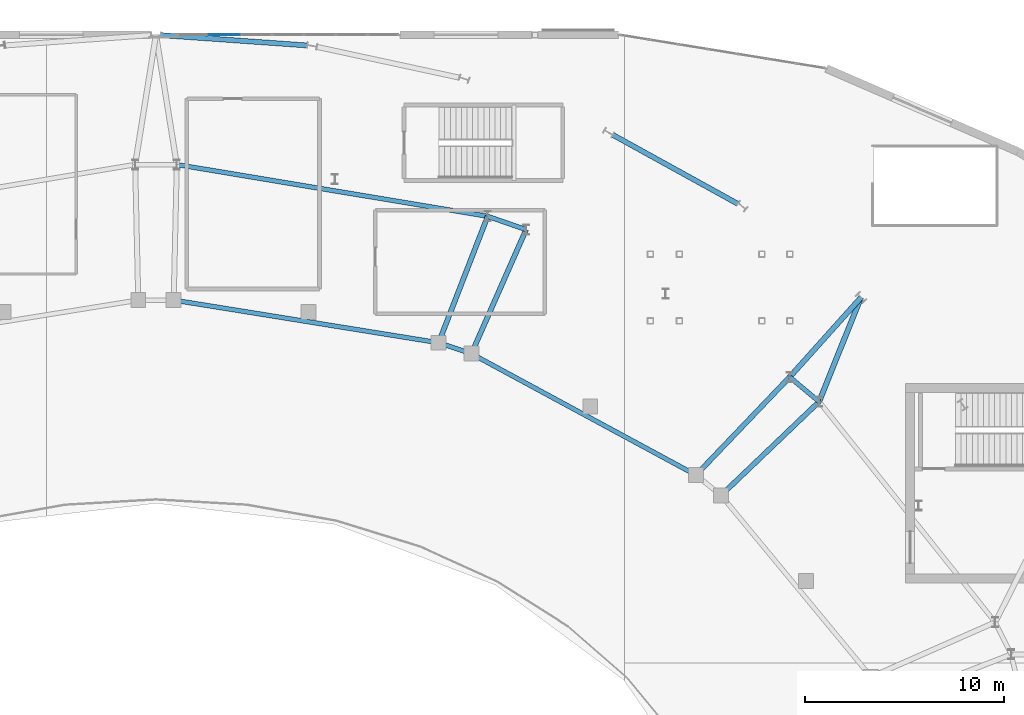
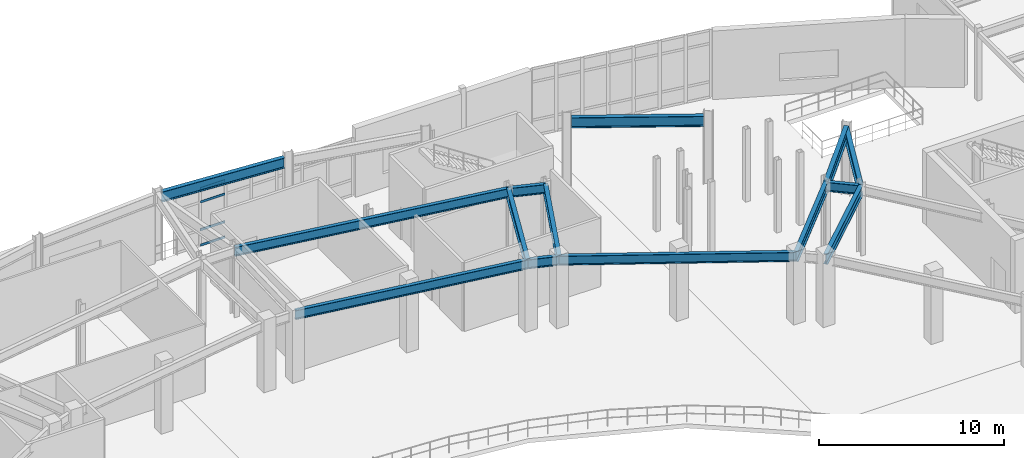
# One storey, part 45 of 86: 14 beams, 4 members, 1 element without a shape of its own.
"""IFC4 building model written with IfcOpenShell, lengths in metres."""

import ifcopenshell
import ifcopenshell.guid

model = None  # the IFC model being written
_history = None  # IfcOwnerHistory: only IFC2X3 demands one
_inside = {}  # id of a spatial element -> (the spatial element, [elements in it])
_under = {}  # id of a project, library or spatial element -> (it, [spatial elements below it])
_declared = {}  # id of a project -> (the project, [libraries it declares])
_typed = {}  # id of a type object -> (the type object, [elements of that type])
_made_of = {}  # id of a material, layer set ... -> (it, [elements and type objects made of it])


def new_model(schema):
    """Start an empty IFC model of exactly this schema.

    Asked for "IFC4X3", IfcOpenShell would pick the latest addendum, in which some entities
    have other attributes; the version numbers below select the first issue.
    IFC2X3 requires an IfcOwnerHistory on every rooted entity: one is made here for all.
    """
    global model, _history
    if schema == "IFC4X3":
        model = ifcopenshell.file(schema_version=(4, 3, 0, 0))
    else:
        model = ifcopenshell.file(schema=schema)
    _inside.clear()
    _under.clear()
    _declared.clear()
    _typed.clear()
    _made_of.clear()
    _history = None
    if model.schema == "IFC2X3":
        org = make("IfcOrganization", Name="unknown")
        user = make(
            "IfcPersonAndOrganization",
            ThePerson=make("IfcPerson", FamilyName="unknown"),
            TheOrganization=org,
        )
        app = make(
            "IfcApplication",
            ApplicationDeveloper=org,
            Version="unknown",
            ApplicationFullName="unknown",
            ApplicationIdentifier="unknown",
        )
        _history = make(
            "IfcOwnerHistory",
            OwningUser=user,
            OwningApplication=app,
            ChangeAction="ADDED",
            CreationDate=0,
        )
    return model


def make(cls, **values):
    """One entity of the class cls with the attributes given. An attribute that is None is left unset."""
    return model.create_entity(
        cls, **{name: value for name, value in values.items() if value is not None}
    )


def rooted(cls, **values):
    """An entity with a GlobalId (a new one), such as an element, a storey or a relation."""
    return make(cls, GlobalId=ifcopenshell.guid.new(), OwnerHistory=_history, **values)


def si_unit(unit_type, name, prefix=None):
    """IfcSIUnit, for example si_unit("LENGTHUNIT", "METRE", prefix="MILLI")."""
    return make("IfcSIUnit", UnitType=unit_type, Prefix=prefix, Name=name)


def assignment(units):
    """IfcUnitAssignment: the units of a project."""
    return None if units is None else make("IfcUnitAssignment", Units=units)


def point(xyz):
    """IfcCartesianPoint."""
    return None if xyz is None else make("IfcCartesianPoint", Coordinates=xyz)


def direction(xyz):
    """IfcDirection."""
    return None if xyz is None else make("IfcDirection", DirectionRatios=xyz)


def frame(location, z_axis=None, x_axis=None):
    """IfcAxis2Placement3D, a coordinate frame: its origin and axes. An axis left out is left unset."""
    return make(
        "IfcAxis2Placement3D",
        Location=point(location),
        Axis=direction(z_axis),
        RefDirection=direction(x_axis),
    )


def frame_2d(location, x_axis=None):
    """IfcAxis2Placement2D, a coordinate frame in the plane: its origin and x axis."""
    return make(
        "IfcAxis2Placement2D", Location=point(location), RefDirection=direction(x_axis)
    )


def origin():
    """The frame at (0, 0, 0) with its axes left unset."""
    return frame((0.0, 0.0, 0.0))


def origin_2d():
    """The frame at (0, 0) in the plane with its x axis left unset."""
    return frame_2d((0.0, 0.0))


def place(relative_to, where):
    """IfcLocalPlacement: puts the frame where relative to a parent placement (None: the world)."""
    return make(
        "IfcLocalPlacement", PlacementRelTo=relative_to, RelativePlacement=where
    )


def context(
    kind, dimensions, precision=None, world=None, true_north=None, identifier=None
):
    """IfcGeometricRepresentationContext, for example the 3D "Model" context."""
    return make(
        "IfcGeometricRepresentationContext",
        ContextIdentifier=identifier,
        ContextType=kind,
        CoordinateSpaceDimension=dimensions,
        Precision=precision,
        WorldCoordinateSystem=world,
        TrueNorth=true_north,
    )


def subcontext(parent, identifier, kind, view, scale=None):
    """IfcGeometricRepresentationSubContext, for example "Body" below "Model"."""
    return make(
        "IfcGeometricRepresentationSubContext",
        ContextIdentifier=identifier,
        ContextType=kind,
        ParentContext=parent,
        TargetScale=scale,
        TargetView=view,
    )


def project(units=None, contexts=None):
    """IfcProject with its units and contexts."""
    return rooted(
        "IfcProject",
        Name="project",
        RepresentationContexts=contexts,
        UnitsInContext=assignment(units),
    )


def spatial(cls, under=None, at=None, **own):
    """A site, building, storey or space (cls), placed at a placement, below another one or the project."""
    s = rooted(cls, ObjectPlacement=at, **own)
    if under is not None:
        _under.setdefault(under.id(), (under, []))[1].append(s)
    return s


def profile(cls, at=None, kind="AREA", **sizes):
    """A parametric profile (cls). Its sizes go by their IFC names, for example OverallWidth=200.0."""
    return make(cls, ProfileType=kind, Position=at, **sizes)


def rectangle(**sizes):
    """IfcRectangleProfileDef."""
    return profile("IfcRectangleProfileDef", **sizes)


def i_section(**sizes):
    """IfcIShapeProfileDef."""
    return profile("IfcIShapeProfileDef", **sizes)


def extrude(swept, where, along, depth):
    """IfcExtrudedAreaSolid: the profile swept, set in the frame where, extruded along a direction by depth."""
    return make(
        "IfcExtrudedAreaSolid",
        SweptArea=swept,
        Position=where,
        ExtrudedDirection=direction(along),
        Depth=depth,
    )


def shape(context_of_items, identifier, shape_type, items):
    """IfcShapeRepresentation: the items that make up one representation, for example the "Body"."""
    return make(
        "IfcShapeRepresentation",
        ContextOfItems=context_of_items,
        RepresentationIdentifier=identifier,
        RepresentationType=shape_type,
        Items=items,
    )


def material(Name=None, Category=None):
    """IfcMaterial."""
    return make("IfcMaterial", Name=Name, Category=Category)


def material_profile(
    of_material, cross_section, Name=None, Category=None, Priority=None
):
    """IfcMaterialProfile: a cross section and its material."""
    return make(
        "IfcMaterialProfile",
        Name=Name,
        Material=of_material,
        Profile=cross_section,
        Priority=Priority,
        Category=Category,
    )


def profile_set(profiles, Name=None, composite=None):
    """IfcMaterialProfileSet."""
    return make(
        "IfcMaterialProfileSet",
        Name=Name,
        MaterialProfiles=profiles,
        CompositeProfile=composite,
    )


def made_of(thing, what):
    """Note that an element or type object is made of a material, layer set ...; save() writes the relation."""
    if what is not None:
        _made_of.setdefault(what.id(), (what, []))[1].append(thing)
    return thing


def type_object(cls, material=None, **own):
    """A type object (cls), such as IfcWallType, which elements share."""
    return made_of(rooted(cls, **own), material)


def element(
    cls,
    number,
    at=None,
    inside=None,
    cuts=None,
    type_object=None,
    material=None,
    context=None,
    identifier="Body",
    shape_type=None,
    held_by="IfcProductDefinitionShape",
    body=None,
    shapes=None,
    **own,
):
    """One element of the class cls, such as IfcWall. Its Tag is "e" and its number.

    at: its placement. inside: the storey or other place that contains it. cuts: it is an
    opening in that element (IfcRelVoidsElement). A single representation is given by context,
    identifier, shape_type and body (its items); several are given by shapes. held_by: the class
    of the entity that holds the representations. save() writes the other relations.
    """
    e = rooted(cls, Tag="e%d" % number, ObjectPlacement=at, **own)
    if body is not None:
        shapes = [shape(context, identifier, shape_type, body)]
    if shapes is not None:
        e.Representation = make(held_by, Representations=shapes)
    if inside is not None:
        _inside.setdefault(inside.id(), (inside, []))[1].append(e)
    if cuts is not None:
        rooted(
            "IfcRelVoidsElement", RelatingBuildingElement=cuts, RelatedOpeningElement=e
        )
    if type_object is not None:
        _typed.setdefault(type_object.id(), (type_object, []))[1].append(e)
    return made_of(e, material)


def aggregate(whole, parts):
    """IfcRelAggregates: a whole, such as a stair, and the parts it consists of."""
    return rooted("IfcRelAggregates", RelatingObject=whole, RelatedObjects=parts)


def save(model, path):
    """Write the relations noted so far, then the file.

    IfcRelAggregates (storeys below a building ...), IfcRelContainedInSpatialStructure (elements
    in a storey), IfcRelDefinesByType, IfcRelAssociatesMaterial and IfcRelDeclares: one each for
    every whole, place, type object, material and project.
    """
    for whole, parts in _under.values():
        aggregate(whole, parts)
    for where, things in _inside.values():
        rooted(
            "IfcRelContainedInSpatialStructure",
            RelatedElements=things,
            RelatingStructure=where,
        )
    for kind, things in _typed.values():
        rooted("IfcRelDefinesByType", RelatedObjects=things, RelatingType=kind)
    for what, things in _made_of.values():
        rooted("IfcRelAssociatesMaterial", RelatedObjects=things, RelatingMaterial=what)
    for by, libraries in _declared.values():
        rooted("IfcRelDeclares", RelatingContext=by, RelatedDefinitions=libraries)
    model.write(path)


model = new_model("IFC4")

# Units and contexts
model_context = context("Model", 3, precision=1e-05, world=origin(), true_north=direction((0.0, 1.0)))
body_context = subcontext(model_context, "Body", "Model", "MODEL_VIEW")
ifc_project = project(units=[si_unit("LENGTHUNIT", "METRE"), si_unit("AREAUNIT", "SQUARE_METRE"), si_unit("VOLUMEUNIT", "CUBIC_METRE"), si_unit("PLANEANGLEUNIT", "RADIAN"), si_unit("MASSUNIT", "GRAM", prefix="KILO")], contexts=[model_context])

# Site, building, storey
site_placement = place(None, origin())
site = spatial("IfcSite", under=ifc_project, at=site_placement, CompositionType="ELEMENT")
building_placement = place(site_placement, origin())
building = spatial("IfcBuilding", under=site, at=building_placement, Name="Glasvene Arena", CompositionType="ELEMENT")
storey_placement = place(building_placement, frame((0.0, 0.0, 5.39990234375)))
storey = spatial("IfcBuildingStorey", under=building, at=storey_placement, Name="L01", CompositionType="ELEMENT", Elevation=5.39990234375)

# Beams
ifc_material_1 = material(Name="Steel S355J2", Category="steel")
ifc_material_profile_1 = material_profile(ifc_material_1, i_section(OverallWidth=0.228271484375, OverallDepth=0.607666015625, WebThickness=0.010986328125, FlangeThickness=0.017333984375, FilletRadius=0.0126953125, at=origin_2d()), Name="UKB 610x229x113")
ifc_profile_set_1 = profile_set([ifc_material_profile_1], Name="Steel S355J2")
beam_type_1 = type_object("IfcBeamType", Name="BM-GIRD-610", PredefinedType="BEAM", material=ifc_profile_set_1)
beam_1_placement = place(storey_placement, frame((125.256591796875, 99.59912109375, 4.215087890625), z_axis=(-0.766930434436, 0.641730246082, 0.0), x_axis=(-0.641730246082, -0.766930434436, 0.0)))
element("IfcBeam", 1, at=beam_1_placement, inside=storey, type_object=beam_type_1, Name="Concourse inner ring girder L01-04", PredefinedType="BEAM", context=body_context, shape_type="SweptSolid", body=[
    extrude(i_section(OverallWidth=0.228271484375, OverallDepth=0.607666015625, WebThickness=0.010986328125, FlangeThickness=0.017333984375, FilletRadius=0.0126953125, at=origin_2d()), origin(), (0.0, 0.0, 1.0), 1.924560546875),
])
beam_2_placement = place(storey_placement, frame((119.08251953125, 95.918212890625, 4.215087890625), z_axis=(-0.879784979892, 0.475371843042, 0.0), x_axis=(-0.475371843042, -0.879784979892, 0.0)))
element("IfcBeam", 2, at=beam_2_placement, inside=storey, type_object=beam_type_1, Name="Mid-bowl ring girder L01-05", PredefinedType="BEAM", context=body_context, shape_type="SweptSolid", body=[
    extrude(i_section(OverallWidth=0.228271484375, OverallDepth=0.607666015625, WebThickness=0.010986328125, FlangeThickness=0.017333984375, FilletRadius=0.0126953125, at=origin_2d()), origin(), (0.0, 0.0, 1.0), 12.802490234375),
])
beam_3_placement = place(storey_placement, frame((110.56298828125, 108.225830078125, 4.215087890625), z_axis=(-0.944798184006, 0.327652852114, 0.0), x_axis=(-0.327652852114, -0.944798184006, 0.0)))
element("IfcBeam", 3, at=beam_3_placement, inside=storey, type_object=beam_type_1, Name="Concourse inner ring girder L01-06", PredefinedType="BEAM", context=body_context, shape_type="SweptSolid", body=[
    extrude(i_section(OverallWidth=0.228271484375, OverallDepth=0.607666015625, WebThickness=0.010986328125, FlangeThickness=0.017333984375, FilletRadius=0.0126953125, at=origin_2d()), origin(), (0.0, 0.0, 1.0), 2.040771484375),
])
beam_4_placement = place(storey_placement, frame((107.819091796875, 102.004150390625, 4.215087890625), z_axis=(-0.948203248213, 0.317664288326, 0.0), x_axis=(-0.317664288326, -0.948203248213, 0.0)))
element("IfcBeam", 4, at=beam_4_placement, inside=storey, type_object=beam_type_1, Name="Mid-bowl ring girder L01-06", PredefinedType="BEAM", context=body_context, shape_type="SweptSolid", body=[
    extrude(i_section(OverallWidth=0.228271484375, OverallDepth=0.607666015625, WebThickness=0.010986328125, FlangeThickness=0.017333984375, FilletRadius=0.0126953125, at=origin_2d()), origin(), (0.0, 0.0, 1.0), 1.733154296875),
])
beam_5_placement = place(storey_placement, frame((108.634765625, 108.89453125, 4.215087890625), z_axis=(-0.986425216298, 0.164211122194, 0.0), x_axis=(-0.164211122194, -0.986425216298, 0.0)))
element("IfcBeam", 5, at=beam_5_placement, inside=storey, type_object=beam_type_1, Name="Concourse inner ring girder L01-07", PredefinedType="BEAM", context=body_context, shape_type="SweptSolid", body=[
    extrude(i_section(OverallWidth=0.228271484375, OverallDepth=0.607666015625, WebThickness=0.010986328125, FlangeThickness=0.017333984375, FilletRadius=0.0126953125, at=origin_2d()), origin(), (0.0, 0.0, 1.0), 15.8056640625),
])
beam_6_placement = place(storey_placement, frame((106.17578125, 102.5546875, 4.215087890625), z_axis=(-0.987308283351, 0.15881547036, 0.0), x_axis=(-0.15881547036, -0.987308283351, 0.0)))
element("IfcBeam", 6, at=beam_6_placement, inside=storey, type_object=beam_type_1, Name="Mid-bowl ring girder L01-07", PredefinedType="BEAM", context=body_context, shape_type="SweptSolid", body=[
    extrude(i_section(OverallWidth=0.228271484375, OverallDepth=0.607666015625, WebThickness=0.010986328125, FlangeThickness=0.017333984375, FilletRadius=0.0126953125, at=origin_2d()), origin(), (0.0, 0.0, 1.0), 13.457275390625),
])
ifc_material_profile_2 = material_profile(ifc_material_1, i_section(OverallWidth=0.253662109375, OverallDepth=0.68359375, WebThickness=0.012451171875, FlangeThickness=0.01904296875, FilletRadius=0.01513671875, at=origin_2d()), Name="UKB 686x254x140")
ifc_profile_set_2 = profile_set([ifc_material_profile_2], Name="Steel S355J2")
beam_type_2 = type_object("IfcBeamType", Name="BM-GIRD-686", PredefinedType="BEAM", material=ifc_profile_set_2)
beam_7_placement = place(storey_placement, frame((121.17919921875, 109.521728515625, 4.178466796875), z_axis=(-0.875653765723, 0.482939419156, 0.0), x_axis=(-0.482939419156, -0.875653765723, 0.0)))
element("IfcBeam", 7, at=beam_7_placement, inside=storey, type_object=beam_type_2, Name="Bowl ring chord beam L01-07", PredefinedType="BEAM", context=body_context, shape_type="SweptSolid", body=[
    extrude(i_section(OverallWidth=0.253662109375, OverallDepth=0.68359375, WebThickness=0.012451171875, FlangeThickness=0.01904296875, FilletRadius=0.01513671875, at=origin_2d()), origin(), (0.0, 0.0, 1.0), 7.159912109375),
])
beam_8_placement = place(storey_placement, frame((99.582275390625, 117.462890625, 4.178466796875), z_axis=(-0.997501616337, 0.070643650844, 0.0), x_axis=(-0.070643650844, -0.997501616337, 0.0)))
element("IfcBeam", 8, at=beam_8_placement, inside=storey, type_object=beam_type_2, Name="Bowl ring chord beam L01-10", PredefinedType="BEAM", context=body_context, shape_type="SweptSolid", body=[
    extrude(i_section(OverallWidth=0.253662109375, OverallDepth=0.68359375, WebThickness=0.012451171875, FlangeThickness=0.01904296875, FilletRadius=0.01513671875, at=origin_2d()), origin(), (0.0, 0.0, 1.0), 7.361083984375),
])
beam_9_placement = place(storey_placement, frame((120.34033203125, 94.90087890625, 4.17822265625), z_axis=(0.722955223934, 0.690894886496, 0.0), x_axis=(-0.690894886496, 0.722955223934, 0.0)))
element("IfcBeam", 9, at=beam_9_placement, inside=storey, type_object=beam_type_2, Name="Mid-to-rear radial girder L01-04", PredefinedType="BEAM", context=body_context, shape_type="SweptSolid", body=[
    extrude(i_section(OverallWidth=0.253662109375, OverallDepth=0.68359375, WebThickness=0.012451171875, FlangeThickness=0.01904296875, FilletRadius=0.01513671875, at=origin_2d()), origin(), (0.0, 0.0, 1.0), 6.80029296875),
])
for number, where, z_axis, x_axis, name in (
    (10, (119.08251953125, 95.918212890625, 4.17822265625), (0.690894054314, 0.722956019211, 0.0), (-0.722956019211, 0.690894054314, 0.0), "Mid-to-rear radial girder L01-05"),
    (11, (107.819091796875, 102.004150390625, 4.17822265625), (0.403521754761, 0.914970050567, 0.0), (-0.914970050567, 0.403521754761, 0.0), "Mid-to-rear radial girder L01-06"),
):
    element("IfcBeam", number, at=place(storey_placement, frame(where, z_axis=z_axis, x_axis=x_axis)), inside=storey, type_object=beam_type_2, Name=name, PredefinedType="BEAM", context=body_context, shape_type="SweptSolid", body=[
        extrude(i_section(OverallWidth=0.253662109375, OverallDepth=0.68359375, WebThickness=0.012451171875, FlangeThickness=0.01904296875, FilletRadius=0.01513671875, at=origin_2d()), origin(), (0.0, 0.0, 1.0), 6.7998046875),
    ])
beam_10_placement = place(storey_placement, frame((106.17578125, 102.5546875, 4.17822265625), z_axis=(0.361614477563, 0.932327715783, 0.0), x_axis=(-0.932327715783, 0.361614477563, 0.0)))
element("IfcBeam", 12, at=beam_10_placement, inside=storey, type_object=beam_type_2, Name="Mid-to-rear radial girder L01-07", PredefinedType="BEAM", context=body_context, shape_type="SweptSolid", body=[
    extrude(i_section(OverallWidth=0.253662109375, OverallDepth=0.68359375, WebThickness=0.012451171875, FlangeThickness=0.01904296875, FilletRadius=0.01513671875, at=origin_2d()), origin(), (0.0, 0.0, 1.0), 6.800048828125),
])
ifc_material_profile_3 = material_profile(ifc_material_1, i_section(OverallWidth=0.2666015625, OverallDepth=0.76220703125, WebThickness=0.014404296875, FlangeThickness=0.021484375, FilletRadius=0.0166015625, at=origin_2d()), Name="UKB 762x267x173")
ifc_profile_set_3 = profile_set([ifc_material_profile_3], Name="Steel S355J2")
beam_type_3 = type_object("IfcBeamType", Name="BM-GIRD-762", PredefinedType="BEAM", material=ifc_profile_set_3)
beam_11_placement = place(storey_placement, frame((125.256591796875, 99.59912109375, 4.138916015625), z_axis=(0.372976095384, 0.927840952034, 0.0), x_axis=(-0.927840952034, 0.372976095384, 0.0)))
element("IfcBeam", 13, at=beam_11_placement, inside=storey, type_object=beam_type_3, Name="Radial concourse girder L01-04", PredefinedType="BEAM", context=body_context, shape_type="SweptSolid", body=[
    extrude(i_section(OverallWidth=0.2666015625, OverallDepth=0.76220703125, WebThickness=0.014404296875, FlangeThickness=0.021484375, FilletRadius=0.0166015625, at=origin_2d()), origin(), (0.0, 0.0, 1.0), 5.626708984375),
])
beam_12_placement = place(storey_placement, frame((123.780517578125, 100.834228515625, 4.138916015625), z_axis=(0.667691455448, 0.744438123904, 0.0), x_axis=(-0.744438123904, 0.667691455448, 0.0)))
element("IfcBeam", 14, at=beam_12_placement, inside=storey, type_object=beam_type_3, Name="Radial concourse girder L01-05", PredefinedType="BEAM", context=body_context, shape_type="SweptSolid", body=[
    extrude(i_section(OverallWidth=0.2666015625, OverallDepth=0.76220703125, WebThickness=0.014404296875, FlangeThickness=0.021484375, FilletRadius=0.0166015625, at=origin_2d()), origin(), (0.0, 0.0, 1.0), 5.353759765625),
])

# Curtain wall, members
ifc_material_2 = material(Name="Low-emissivity laminated double glazing", Category="glass")
curtain_wall_type = type_object("IfcCurtainWallType", Name="CW-FAC-L01-1116x377", PredefinedType="USERDEFINED", material=ifc_material_2)
curtain_wall_placement = place(storey_placement, frame((93.0400390625, 118.0, 0.0)))
curtain_wall = element("IfcCurtainWall", 15, at=curtain_wall_placement, inside=storey, type_object=curtain_wall_type, Name="Unitised curtain wall CW-F-L01-150-986-1180-13", ObjectType="CURTAIN WALL", PredefinedType="USERDEFINED")
ifc_material_3 = material(Name="Anodised architectural aluminium", Category="aluminium")
ifc_material_profile_4 = material_profile(ifc_material_3, rectangle(XDim=0.050048828125, YDim=0.14990234375, at=origin_2d()), Name="ALU TRANSOM 50x150")
ifc_profile_set_4 = profile_set([ifc_material_profile_4], Name="Anodised architectural aluminium")
member_type = type_object("IfcMemberType", Name="CW-TRN-150", PredefinedType="USERDEFINED", material=ifc_profile_set_4)
member_1_placement = place(storey_placement, frame((94.6591796875, 118.0, 0.085205078125), z_axis=(1.0, 0.0, 0.0), x_axis=(0.0, 1.0, 0.0)))
member_1 = element("IfcMember", 16, at=member_1_placement, type_object=member_type, Name="CW-009 transom 2.1", ObjectType="TRANSOM", PredefinedType="USERDEFINED", context=body_context, shape_type="SweptSolid", body=[
    extrude(rectangle(XDim=0.050048828125, YDim=0.14990234375, at=origin_2d()), origin(), (0.0, 0.0, 1.0), 1.54443359375),
])
member_2_placement = place(storey_placement, frame((94.6591796875, 118.0, 1.10009765625), z_axis=(1.0, 0.0, 0.0), x_axis=(0.0, 1.0, 0.0)))
member_2 = element("IfcMember", 17, at=member_2_placement, type_object=member_type, Name="CW-009 transom 2.2", ObjectType="TRANSOM", PredefinedType="USERDEFINED", context=body_context, shape_type="SweptSolid", body=[
    extrude(rectangle(XDim=0.050048828125, YDim=0.14990234375, at=origin_2d()), origin(), (0.0, 0.0, 1.0), 1.54443359375),
])
member_3_placement = place(storey_placement, frame((94.6591796875, 118.0, 2.93212890625), z_axis=(1.0, 0.0, 0.0), x_axis=(0.0, 1.0, 0.0)))
member_3 = element("IfcMember", 18, at=member_3_placement, type_object=member_type, Name="CW-009 transom 2.3", ObjectType="TRANSOM", PredefinedType="USERDEFINED", context=body_context, shape_type="SweptSolid", body=[
    extrude(rectangle(XDim=0.050048828125, YDim=0.14990234375, at=origin_2d()), origin(), (0.0, 0.0, 1.0), 1.54443359375),
])
member_4_placement = place(storey_placement, frame((94.6591796875, 118.0, 3.80712890625), z_axis=(1.0, 0.0, 0.0), x_axis=(0.0, 1.0, 0.0)))
member_4 = element("IfcMember", 19, at=member_4_placement, type_object=member_type, Name="CW-009 transom 2.4", ObjectType="TRANSOM", PredefinedType="USERDEFINED", context=body_context, shape_type="SweptSolid", body=[
    extrude(rectangle(XDim=0.050048828125, YDim=0.14990234375, at=origin_2d()), origin(), (0.0, 0.0, 1.0), 1.54443359375),
])
aggregate(curtain_wall, [member_1, member_2, member_3, member_4])

save(model, "model.ifc")
